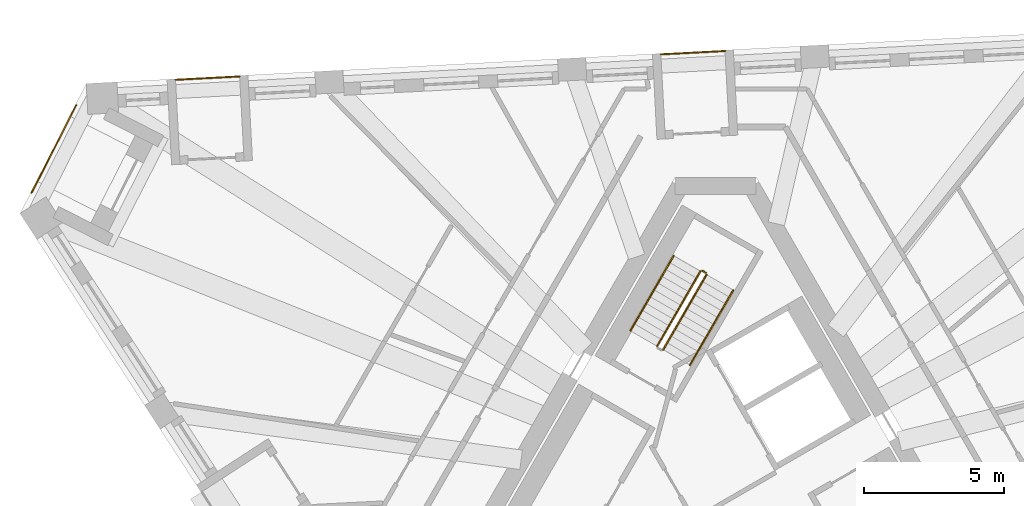
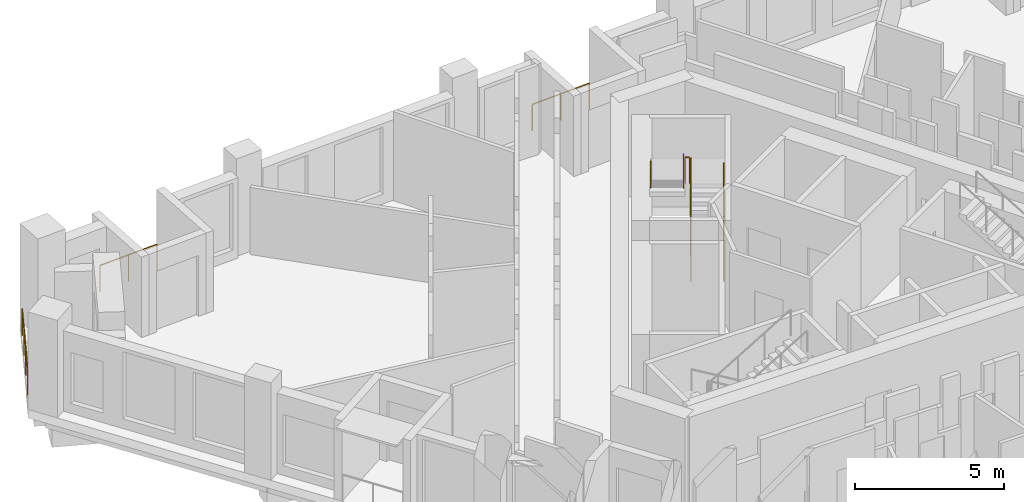
# One storey, part 11 of 12: 8 railings.
"""IFC4 building model written with IfcOpenShell, lengths in metres."""

from ifc_helpers import new_model, si_unit, direction, frame, origin, origin_2d, place, context, subcontext, project, spatial, circle, extrude, material, type_object, element, save


model = new_model("IFC4")

# Units and contexts
model_context = context("Model", 3, precision=1e-05, world=origin(), true_north=direction((0.0, 1.0)))
body_context = subcontext(model_context, "Body", "Model", "MODEL_VIEW")
ifc_project = project(units=[si_unit("LENGTHUNIT", "METRE"), si_unit("AREAUNIT", "SQUARE_METRE"), si_unit("VOLUMEUNIT", "CUBIC_METRE"), si_unit("PLANEANGLEUNIT", "RADIAN"), si_unit("MASSUNIT", "GRAM", prefix="KILO")], contexts=[model_context])

# Site, building, storey
site_placement = place(None, origin())
site = spatial("IfcSite", under=ifc_project, at=site_placement, CompositionType="ELEMENT")
building_placement = place(site_placement, origin())
building = spatial("IfcBuilding", under=site, at=building_placement, Name="Tramontana Tower", CompositionType="ELEMENT")
storey_placement = place(building_placement, frame((0.0, 0.0, 282.39990234375)))
storey = spatial("IfcBuildingStorey", under=building, at=storey_placement, Name="L66", CompositionType="ELEMENT", Elevation=282.39990234375)

# Railings
ifc_material_1 = material(Name="Laminated glass balustrade", Category="glass")
railing_type_1 = type_object("IfcRailingType", Name="GD1 Loggia glass balustrade 1100", PredefinedType="BALUSTRADE", material=ifc_material_1)
for number, where, name in (
    (1, (0.332275390625, 15.508544921875, 0.0), "Loggia balustrade L66 G7S2.7"),
    (2, (-16.964599609375, 14.60205078125, 0.0), "Loggia balustrade L66 G7S2.13"),
):
    element("IfcRailing", number, at=place(storey_placement, frame(where)), inside=storey, type_object=railing_type_1, Name=name, PredefinedType="BALUSTRADE", context=body_context, shape_type="SweptSolid", body=[
        extrude(circle(Radius=0.02392578125, at=origin_2d()), frame((0.0, 0.0, 1.076171875), z_axis=(-0.998630775221, -0.052312281362, 0.0), x_axis=(0.052312281362, -0.998630775221, 0.0)), (0.0, 0.0, 1.0), 2.286865234375),
        extrude(circle(Radius=0.02099609375, at=origin_2d()), origin(), (0.0, 0.0, 1.0), 1.052001953125),
        extrude(circle(Radius=0.02099609375, at=origin_2d()), frame((-1.141845703125, -0.059814453125, 0.0)), (0.0, 0.0, 1.0), 1.052001953125),
        extrude(circle(Radius=0.02099609375, at=origin_2d()), frame((-2.28369140625, -0.11962890625, 0.0)), (0.0, 0.0, 1.0), 1.052001953125),
    ])
railing_1_placement = place(storey_placement, frame((-24.37939453125, 10.457763671875, 0.0)))
element("IfcRailing", 3, at=railing_1_placement, inside=storey, type_object=railing_type_1, Name="Corner loggia balustrade L66 K70", PredefinedType="BALUSTRADE", context=body_context, shape_type="SweptSolid", body=[
    extrude(circle(Radius=0.02392578125, at=origin_2d()), frame((0.0, 0.0, 1.076171875), z_axis=(0.453952949021, 0.891025656238, 0.0), x_axis=(-0.891025656238, 0.453952949021, 0.0)), (0.0, 0.0, 1.0), 3.5),
    extrude(circle(Radius=0.02099609375, at=origin_2d()), origin(), (0.0, 0.0, 1.0), 1.052001953125),
    extrude(circle(Radius=0.02099609375, at=origin_2d()), frame((0.529541015625, 1.03955078125, 0.0)), (0.0, 0.0, 1.0), 1.052001953125),
    extrude(circle(Radius=0.02099609375, at=origin_2d()), frame((1.059326171875, 2.0791015625, 0.0)), (0.0, 0.0, 1.0), 1.052001953125),
    extrude(circle(Radius=0.02099609375, at=origin_2d()), frame((1.5888671875, 3.11865234375, 0.0)), (0.0, 0.0, 1.0), 1.052001953125),
])
ifc_material_2 = material(Name="Painted steel", Category="steel")
railing_type_2 = type_object("IfcRailingType", Name="STAIR GUARD 1100", PredefinedType="GUARDRAIL", material=ifc_material_2)
railing_2_placement = place(storey_placement, frame((-1.867431640625, 4.865478515625, 0.166748046875)))
element("IfcRailing", 4, at=railing_2_placement, inside=storey, type_object=railing_type_2, Name="L66 ST1 stair guard 1", PredefinedType="GUARDRAIL", context=body_context, shape_type="SweptSolid", body=[
    extrude(circle(Radius=0.02392578125, at=origin_2d()), frame((0.0, 0.0, 1.076171875), z_axis=(0.429649414936, 0.744189839504, 0.511451721109), x_axis=(-0.866029832698, 0.499992328818, 0.0)), (0.0, 0.0, 1.0), 3.58447265625),
    extrude(circle(Radius=0.02099609375, at=origin_2d()), origin(), (0.0, 0.0, 1.0), 1.052001953125),
    extrude(circle(Radius=0.02099609375, at=origin_2d()), frame((0.513427734375, 0.88916015625, 0.611083984375)), (0.0, 0.0, 1.0), 1.052001953125),
    extrude(circle(Radius=0.02099609375, at=origin_2d()), frame((1.026611328125, 1.7783203125, 1.22216796875)), (0.0, 0.0, 1.0), 1.052001953125),
    extrude(circle(Radius=0.02099609375, at=origin_2d()), frame((1.5400390625, 2.66748046875, 1.833251953125)), (0.0, 0.0, 1.0), 1.052001953125),
])
railing_3_placement = place(storey_placement, frame((-0.5439453125, 7.657958984375, 2.166748046875)))
element("IfcRailing", 5, at=railing_3_placement, inside=storey, type_object=railing_type_2, Name="L66 ST1 stair guard 2", PredefinedType="GUARDRAIL", context=body_context, shape_type="SweptSolid", body=[
    extrude(circle(Radius=0.02392578125, at=origin_2d()), frame((0.0, 0.0, 1.076171875), z_axis=(-0.429649414936, -0.744189839504, 0.511451721109), x_axis=(0.866029832698, -0.499992328818, 0.0)), (0.0, 0.0, 1.0), 3.58447265625),
    extrude(circle(Radius=0.02099609375, at=origin_2d()), origin(), (0.0, 0.0, 1.0), 1.052001953125),
    extrude(circle(Radius=0.02099609375, at=origin_2d()), frame((-0.513427734375, -0.88916015625, 0.611083984375)), (0.0, 0.0, 1.0), 1.052001953125),
    extrude(circle(Radius=0.02099609375, at=origin_2d()), frame((-1.026611328125, -1.7783203125, 1.22216796875)), (0.0, 0.0, 1.0), 1.052001953125),
    extrude(circle(Radius=0.02099609375, at=origin_2d()), frame((-1.5400390625, -2.66748046875, 1.833251953125)), (0.0, 0.0, 1.0), 1.052001953125),
])
railing_4_placement = place(storey_placement, frame((-0.345703125, 7.601318359375, 2.0)))
element("IfcRailing", 6, at=railing_4_placement, inside=storey, type_object=railing_type_2, Name="L66 ST1 stair guard 3", PredefinedType="GUARDRAIL", context=body_context, shape_type="SweptSolid", body=[
    extrude(circle(Radius=0.02392578125, at=origin_2d()), frame((0.0, 0.0, 1.076171875), z_axis=(-0.866131372301, 0.499816412211, 0.0), x_axis=(-0.499816412211, -0.866131372301, 0.0)), (0.0, 0.0, 1.0), 0.14990234375),
    extrude(circle(Radius=0.02099609375, at=origin_2d()), origin(), (0.0, 0.0, 1.0), 1.052001953125),
    extrude(circle(Radius=0.02099609375, at=origin_2d()), frame((-0.1298828125, 0.074951171875, 0.0)), (0.0, 0.0, 1.0), 1.052001953125),
])
ifc_material_3 = material(Name="Painted steel", Category="steel")
railing_type_3 = type_object("IfcRailingType", Name="STAIR HANDRAIL 900", PredefinedType="HANDRAIL", material=ifc_material_3)
railing_5_placement = place(storey_placement, frame((-0.914794921875, 4.315673828125, 0.166748046875)))
element("IfcRailing", 7, at=railing_5_placement, inside=storey, type_object=railing_type_3, Name="L66 ST1 stair handrail 1", PredefinedType="HANDRAIL", context=body_context, shape_type="SweptSolid", body=[
    extrude(circle(Radius=0.02392578125, at=origin_2d()), frame((0.0, 0.0, 0.8759765625), z_axis=(0.429671193721, 0.744159446956, 0.511477646425), x_axis=(-0.866010015463, 0.500026652407, 0.0)), (0.0, 0.0, 1.0), 3.584228515625),
    extrude(circle(Radius=0.02099609375, at=origin_2d()), origin(), (0.0, 0.0, 1.0), 0.851806640625),
    extrude(circle(Radius=0.02099609375, at=origin_2d()), frame((0.513427734375, 0.88916015625, 0.611083984375)), (0.0, 0.0, 1.0), 0.851806640625),
    extrude(circle(Radius=0.02099609375, at=origin_2d()), frame((1.026611328125, 1.778076171875, 1.22216796875)), (0.0, 0.0, 1.0), 0.851806640625),
    extrude(circle(Radius=0.02099609375, at=origin_2d()), frame((1.5400390625, 2.667236328125, 1.833251953125)), (0.0, 0.0, 1.0), 0.851806640625),
])
railing_6_placement = place(storey_placement, frame((-1.49658203125, 8.2080078125, 2.166748046875)))
element("IfcRailing", 8, at=railing_6_placement, inside=storey, type_object=railing_type_3, Name="L66 ST1 stair handrail 2", PredefinedType="HANDRAIL", context=body_context, shape_type="SweptSolid", body=[
    extrude(circle(Radius=0.02392578125, at=origin_2d()), frame((0.0, 0.0, 0.8759765625), z_axis=(-0.429649414936, -0.744189839504, 0.511451721109), x_axis=(0.866029832698, -0.499992328818, 0.0)), (0.0, 0.0, 1.0), 3.58447265625),
    extrude(circle(Radius=0.02099609375, at=origin_2d()), origin(), (0.0, 0.0, 1.0), 0.851806640625),
    extrude(circle(Radius=0.02099609375, at=origin_2d()), frame((-0.513427734375, -0.88916015625, 0.611083984375)), (0.0, 0.0, 1.0), 0.851806640625),
    extrude(circle(Radius=0.02099609375, at=origin_2d()), frame((-1.026611328125, -1.7783203125, 1.22216796875)), (0.0, 0.0, 1.0), 0.851806640625),
    extrude(circle(Radius=0.02099609375, at=origin_2d()), frame((-1.5400390625, -2.66748046875, 1.833251953125)), (0.0, 0.0, 1.0), 0.851806640625),
])

save(model, "model.ifc")
